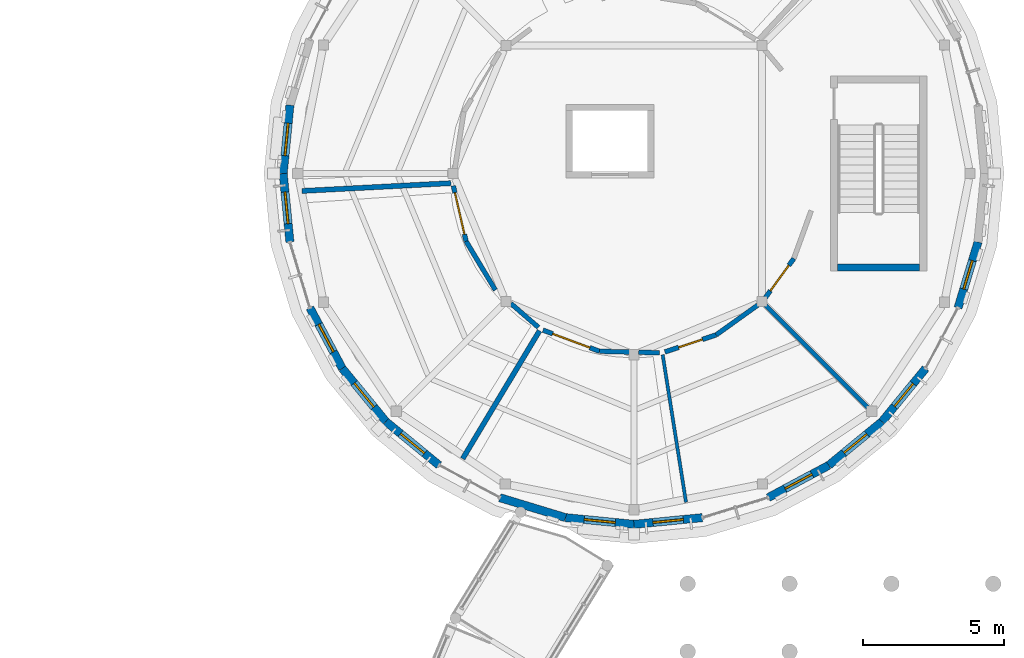
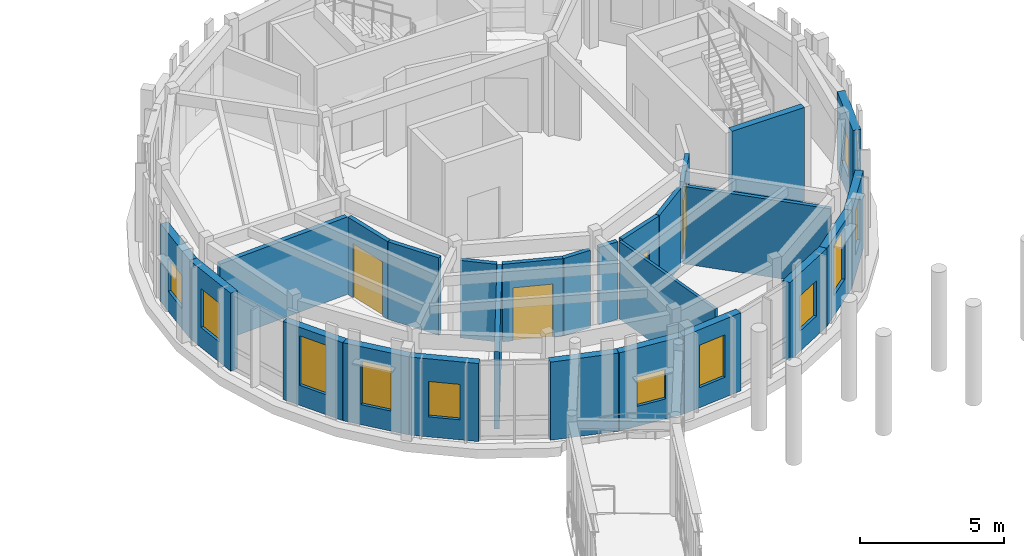
# One storey, part 55 of 80: 26 walls, 11 windows, 4 doors, 15 openings.
"""IFC4 building model written with IfcOpenShell, lengths in metres."""

from ifc_helpers import new_model, si_unit, direction, frame, frame_2d, origin, place, context, subcontext, project, spatial, rectangle, extrude, material, layer, layer_set, type_object, element, fill, save


model = new_model("IFC4")

# Units and contexts
model_context = context("Model", 3, precision=1e-05, world=origin(), true_north=direction((0.0, 1.0)))
body_context = subcontext(model_context, "Body", "Model", "MODEL_VIEW")
ifc_project = project(units=[si_unit("LENGTHUNIT", "METRE"), si_unit("AREAUNIT", "SQUARE_METRE"), si_unit("VOLUMEUNIT", "CUBIC_METRE"), si_unit("PLANEANGLEUNIT", "RADIAN"), si_unit("MASSUNIT", "GRAM", prefix="KILO")], contexts=[model_context])

# Site, building, storey
site_placement = place(None, origin())
site = spatial("IfcSite", under=ifc_project, at=site_placement, CompositionType="ELEMENT")
building_placement = place(site_placement, origin())
building = spatial("IfcBuilding", under=site, at=building_placement, Name="Aldenvaro Health Centre", CompositionType="ELEMENT")
storey_placement = place(building_placement, frame((0.0, 0.0, 4.550048828125)))
storey = spatial("IfcBuildingStorey", under=building, at=storey_placement, Name="L01", CompositionType="ELEMENT", Elevation=4.550048828125)

# Wall
ifc_material_1 = material(Name="Gypsum Stud Acoustic Assembly")
ifc_layer_1 = layer(ifc_material_1, 0.14501953125, Name="Gypsum Stud Acoustic Assembly")
ifc_layer_set_1 = layer_set([ifc_layer_1], Name="Gypsum Stud Acoustic Assembly")
wall_type_1 = type_object("IfcWallType", Name="WL-CLN-145", PredefinedType="PARTITIONING", material=ifc_layer_set_1)
wall_1_placement = place(storey_placement, frame((159.083984375, 94.916015625, 0.0), z_axis=(0.0, 0.0, 1.0), x_axis=(0.707106781187, -0.707106781187, 0.0)))
element("IfcWall", 1, at=wall_1_placement, inside=storey, type_object=wall_type_1, Name="D2 L01 clinical partition 6.1", PredefinedType="PARTITIONING", context=body_context, shape_type="SweptSolid", body=[
    extrude(rectangle(XDim=5.316162109375, YDim=0.14501953125, at=frame_2d((2.658203125, 0.0))), origin(), (0.0, 0.0, 1.0), 3.283935546875),
])

# Wall, opening, door
ifc_layer_2 = layer(ifc_material_1, 0.1650390625, Name="Gypsum Stud Acoustic Assembly")
ifc_layer_set_2 = layer_set([ifc_layer_2], Name="Gypsum Stud Acoustic Assembly")
wall_type_2 = type_object("IfcWallType", Name="WL-COR-165", PredefinedType="PARTITIONING", material=ifc_layer_set_2)
wall_2_placement = place(storey_placement, frame((148.114013671875, 99.070068359375, 0.0), z_axis=(0.0, 0.0, 1.0), x_axis=(0.223512984269, -0.974700952017, 0.0)))
wall_2 = element("IfcWall", 2, at=wall_2_placement, inside=storey, type_object=wall_type_2, Name="D2 L01 corridor wall 03.1", PredefinedType="PARTITIONING", context=body_context, shape_type="SweptSolid", body=[
    extrude(rectangle(XDim=2.01318359375, YDim=0.1650390625, at=frame_2d((1.006591796875, 0.0))), origin(), (0.0, 0.0, 1.0), 3.283935546875),
])
opening_1_placement = place(wall_2_placement, frame((0.257080078125, 0.0, 0.0)))
opening_1 = element("IfcOpeningElement", 3, at=opening_1_placement, cuts=wall_2, Name="Opening SD-01", PredefinedType="OPENING", context=body_context, shape_type="SweptSolid", body=[
    extrude(rectangle(XDim=1.5, YDim=2.300048828125, at=frame_2d((0.75, 1.14990234375))), frame((0.0, 0.092529296875, 0.0), z_axis=(0.0, -1.0, 0.0), x_axis=(1.0, 0.0, 0.0)), (0.0, 0.0, 1.0), 0.18505859375),
])
ifc_material_2 = material(Name="Hygienic Hermetic Theatre Door")
door_type_1 = type_object("IfcDoorType", Name="DR-SRG-150", OperationType="NOTDEFINED", PredefinedType="DOOR", material=ifc_material_2)
door_1_placement = place(opening_1_placement, origin())
door_1 = element("IfcDoor", 4, at=door_1_placement, inside=storey, type_object=door_type_1, Name="Endoscopy Procedure Room Door", OperationType="SINGLE_SWING_LEFT", OverallHeight=2.300048828125, OverallWidth=1.5, PredefinedType="DOOR", context=body_context, shape_type="SweptSolid", body=[
    extrude(rectangle(XDim=1.5, YDim=2.300048828125, at=frame_2d((0.75, 1.14990234375))), frame((0.0, 0.02490234375, 0.0), z_axis=(0.0, -1.0, 0.0), x_axis=(1.0, 0.0, 0.0)), (0.0, 0.0, 1.0), 0.050048828125),
])
fill(opening_1, door_1)

# Walls
wall_3_placement = place(storey_placement, frame((148.56396484375, 97.10791015625, 0.0), z_axis=(0.0, 0.0, 1.0), x_axis=(0.515084069478, -0.857139662698, 0.0)))
element("IfcWall", 5, at=wall_3_placement, inside=storey, type_object=wall_type_2, Name="D2 L01 corridor wall 03.2", PredefinedType="PARTITIONING", context=body_context, shape_type="SweptSolid", body=[
    extrude(rectangle(XDim=2.013427734375, YDim=0.1650390625, at=frame_2d((1.0068359375, 0.0))), origin(), (0.0, 0.0, 1.0), 3.283935546875),
])
wall_4_placement = place(storey_placement, frame((150.14892578125, 94.906982421875, 0.0), z_axis=(0.0, 0.0, 1.0), x_axis=(0.756157862191, -0.654389247655, 0.0)))
element("IfcWall", 6, at=wall_4_placement, inside=storey, type_object=wall_type_2, Name="D2 L01 corridor wall 03.3", PredefinedType="PARTITIONING", context=body_context, shape_type="SweptSolid", body=[
    extrude(rectangle(XDim=1.288330078125, YDim=0.1650390625, at=frame_2d((0.64404296875, 0.0))), origin(), (0.0, 0.0, 1.0), 3.283935546875),
])

# Wall, opening, door
wall_5_placement = place(storey_placement, frame((151.285888671875, 93.966064453125, 0.0), z_axis=(0.0, 0.0, 1.0), x_axis=(0.93623488757, -0.35137477897, 0.0)))
wall_5 = element("IfcWall", 7, at=wall_5_placement, inside=storey, type_object=wall_type_2, Name="D2 L01 corridor wall 04.1", PredefinedType="PARTITIONING", context=body_context, shape_type="SweptSolid", body=[
    extrude(rectangle(XDim=2.12890625, YDim=0.1650390625, at=frame_2d((1.064453125, 0.0))), origin(), (0.0, 0.0, 1.0), 3.283935546875),
])
opening_2_placement = place(wall_5_placement, frame((0.364990234375, 0.0, 0.0)))
opening_2 = element("IfcOpeningElement", 8, at=opening_2_placement, cuts=wall_5, Name="Opening SD-02", PredefinedType="OPENING", context=body_context, shape_type="SweptSolid", body=[
    extrude(rectangle(XDim=1.39990234375, YDim=2.25, at=frame_2d((0.699951171875, 1.125))), frame((0.0, 0.092529296875, 0.0), z_axis=(0.0, -1.0, 0.0), x_axis=(1.0, 0.0, 0.0)), (0.0, 0.0, 1.0), 0.18505859375),
])
ifc_material_3 = material(Name="Hygienic Scrub Suite Door")
door_type_2 = type_object("IfcDoorType", Name="DR-SRG-140", OperationType="NOTDEFINED", PredefinedType="DOOR", material=ifc_material_3)
door_2_placement = place(opening_2_placement, origin())
door_2 = element("IfcDoor", 9, at=door_2_placement, inside=storey, type_object=door_type_2, Name="Surgical Scrub and Sub-Sterile Room Door", OperationType="SINGLE_SWING_RIGHT", OverallHeight=2.25, OverallWidth=1.39990234375, PredefinedType="DOOR", context=body_context, shape_type="SweptSolid", body=[
    extrude(rectangle(XDim=1.39990234375, YDim=2.25, at=frame_2d((0.699951171875, 1.125))), frame((0.0, 0.02490234375, 0.0), z_axis=(0.0, -1.0, 0.0), x_axis=(1.0, 0.0, 0.0)), (0.0, 0.0, 1.0), 0.050048828125),
])
fill(opening_2, door_2)

# Walls
wall_6_placement = place(storey_placement, frame((153.279052734375, 93.218017578125, 0.0), z_axis=(0.0, 0.0, 1.0), x_axis=(0.999671430909, -0.025632600793, 0.0)))
element("IfcWall", 10, at=wall_6_placement, inside=storey, type_object=wall_type_2, Name="D2 L01 corridor wall 04.2", PredefinedType="PARTITIONING", context=body_context, shape_type="SweptSolid", body=[
    extrude(rectangle(XDim=1.05712890625, YDim=0.1650390625, at=frame_2d((0.528564453125, 0.0))), origin(), (0.0, 0.0, 1.0), 3.283935546875),
])
wall_7_placement = place(storey_placement, frame((154.66796875, 93.18310546875, 0.0), z_axis=(0.0, 0.0, 1.0), x_axis=(0.999701314602, -0.024439344989, 0.0)))
element("IfcWall", 11, at=wall_7_placement, inside=storey, type_object=wall_type_2, Name="D2 L01 corridor wall 04.3", PredefinedType="PARTITIONING", context=body_context, shape_type="SweptSolid", body=[
    extrude(rectangle(XDim=0.7392578125, YDim=0.1650390625, at=frame_2d((0.36962890625, 0.0))), origin(), (0.0, 0.0, 1.0), 3.283935546875),
])

# Wall, opening, door
wall_8_placement = place(storey_placement, frame((155.594970703125, 93.194091796875, 0.0), z_axis=(0.0, 0.0, 1.0), x_axis=(0.948632132652, 0.316381220839, 0.0)))
wall_8 = element("IfcWall", 12, at=wall_8_placement, inside=storey, type_object=wall_type_2, Name="D2 L01 corridor wall 05.1", PredefinedType="PARTITIONING", context=body_context, shape_type="SweptSolid", body=[
    extrude(rectangle(XDim=1.9091796875, YDim=0.1650390625, at=frame_2d((0.95458984375, 0.0))), origin(), (0.0, 0.0, 1.0), 3.283935546875),
])
opening_3_placement = place(wall_8_placement, frame((0.513916015625, 0.0, 0.0)))
opening_3 = element("IfcOpeningElement", 13, at=opening_3_placement, cuts=wall_8, Name="Opening UD-01", PredefinedType="OPENING", context=body_context, shape_type="SweptSolid", body=[
    extrude(rectangle(XDim=0.8798828125, YDim=2.10009765625, at=frame_2d((0.43994140625, 1.050048828125))), frame((0.0, 0.092529296875, 0.0), z_axis=(0.0, -1.0, 0.0), x_axis=(1.0, 0.0, 0.0)), (0.0, 0.0, 1.0), 0.18505859375),
])
ifc_material_4 = material(Name="Clean Supply Store Door")
door_type_3 = type_object("IfcDoorType", Name="DR-STR-01", OperationType="NOTDEFINED", PredefinedType="DOOR", material=ifc_material_4)
door_3_placement = place(opening_3_placement, origin())
door_3 = element("IfcDoor", 14, at=door_3_placement, inside=storey, type_object=door_type_3, Name="Clean Instrument Supply Room Door", OperationType="SINGLE_SWING_LEFT", OverallHeight=2.10009765625, OverallWidth=0.8798828125, PredefinedType="DOOR", context=body_context, shape_type="SweptSolid", body=[
    extrude(rectangle(XDim=0.8798828125, YDim=2.10009765625, at=frame_2d((0.43994140625, 1.050048828125))), frame((0.0, 0.02490234375, 0.0), z_axis=(0.0, -1.0, 0.0), x_axis=(1.0, 0.0, 0.0)), (0.0, 0.0, 1.0), 0.050048828125),
])
fill(opening_3, door_3)

# Wall
wall_9_placement = place(storey_placement, frame((157.406005859375, 93.798095703125, 0.0), z_axis=(0.0, 0.0, 1.0), x_axis=(0.813324248, 0.581810680218, 0.0)))
element("IfcWall", 15, at=wall_9_placement, inside=storey, type_object=wall_type_2, Name="D2 L01 corridor wall 05.2", PredefinedType="PARTITIONING", context=body_context, shape_type="SweptSolid", body=[
    extrude(rectangle(XDim=1.81494140625, YDim=0.1650390625, at=frame_2d((0.907470703125, 0.0))), origin(), (0.0, 0.0, 1.0), 3.283935546875),
])

# Wall, opening, door
wall_10_placement = place(storey_placement, frame((159.14697265625, 95.116943359375, 0.0), z_axis=(0.0, 0.0, 1.0), x_axis=(0.588784523438, 0.808290037647, 0.0)))
wall_10 = element("IfcWall", 16, at=wall_10_placement, inside=storey, type_object=wall_type_2, Name="D2 L01 corridor wall 06.1", PredefinedType="PARTITIONING", context=body_context, shape_type="SweptSolid", body=[
    extrude(rectangle(XDim=1.705078125, YDim=0.1650390625, at=frame_2d((0.8525390625, 0.0))), origin(), (0.0, 0.0, 1.0), 3.283935546875),
])
opening_4_placement = place(wall_10_placement, frame((0.298095703125, 0.0, 0.0)))
opening_4 = element("IfcOpeningElement", 17, at=opening_4_placement, cuts=wall_10, Name="Opening D-23", PredefinedType="OPENING", context=body_context, shape_type="SweptSolid", body=[
    extrude(rectangle(XDim=1.110107421875, YDim=2.25, at=frame_2d((0.55517578125, 1.125))), frame((0.0, 0.092529296875, 0.0), z_axis=(0.0, -1.0, 0.0), x_axis=(1.0, 0.0, 0.0)), (0.0, 0.0, 1.0), 0.18505859375),
])
ifc_material_5 = material(Name="Exam Suite Timber Door", Category="wood")
door_type_4 = type_object("IfcDoorType", Name="DR-CLN-23", OperationType="NOTDEFINED", PredefinedType="DOOR", material=ifc_material_5)
door_4_placement = place(opening_4_placement, origin())
door_4 = element("IfcDoor", 18, at=door_4_placement, inside=storey, type_object=door_type_4, Name="Anesthesia Workroom Door", OperationType="SINGLE_SWING_RIGHT", OverallHeight=2.25, OverallWidth=1.110107421875, PredefinedType="DOOR", context=body_context, shape_type="SweptSolid", body=[
    extrude(rectangle(XDim=1.110107421875, YDim=2.25, at=frame_2d((0.55517578125, 1.125))), frame((0.0, 0.02490234375, 0.0), z_axis=(0.0, -1.0, 0.0), x_axis=(1.0, 0.0, 0.0)), (0.0, 0.0, 1.0), 0.050048828125),
])
fill(opening_4, door_4)

# Wall, opening, window
ifc_material_6 = material(Name="Cross-laminated timber CLT E1", Category="wood")
ifc_layer_3 = layer(ifc_material_6, 0.2900390625, Name="Cross-laminated timber CLT E1", Category="wood")
ifc_layer_set_3 = layer_set([ifc_layer_3], Name="Cross-laminated timber CLT E1")
wall_type_3 = type_object("IfcWallType", Name="WL-EXT-290", PredefinedType="ELEMENTEDWALL", material=ifc_layer_set_3)
wall_11_placement = place(storey_placement, frame((166.662109375, 97.0810546875, 0.0), z_axis=(0.0, 0.0, 1.0), x_axis=(-0.290442193951, -0.956892539407, 0.0)))
wall_11 = element("IfcWall", 19, at=wall_11_placement, inside=storey, type_object=wall_type_3, Name="D2 L01 exterior wall 02", PredefinedType="ELEMENTEDWALL", context=body_context, shape_type="SweptSolid", body=[
    extrude(rectangle(XDim=2.430908203125, YDim=0.2900390625, at=frame_2d((1.21533203125, 0.0))), origin(), (0.0, 0.0, 1.0), 3.308837890625),
])
opening_5_placement = place(wall_11_placement, frame((0.68994140625, 0.0, 0.85009765625)))
opening_5 = element("IfcOpeningElement", 20, at=opening_5_placement, cuts=wall_11, Name="Opening W-20", PredefinedType="OPENING", context=body_context, shape_type="SweptSolid", body=[
    extrude(rectangle(XDim=1.050048828125, YDim=1.60009765625, at=frame_2d((0.52490234375, 0.800048828125))), frame((0.0, 0.155029296875, 0.0), z_axis=(0.0, -1.0, 0.0), x_axis=(1.0, 0.0, 0.0)), (0.0, 0.0, 1.0), 0.31005859375),
])
ifc_material_7 = material(Name="Thermally Broken Aluminium Low-E Glass", Category="aluminium")
window_type_1 = type_object("IfcWindowType", Name="WN-EXT-20", PartitioningType="SINGLE_PANEL", PredefinedType="WINDOW", material=ifc_material_7)
window_1_placement = place(opening_5_placement, origin())
window_1 = element("IfcWindow", 21, at=window_1_placement, inside=storey, type_object=window_type_1, Name="D2 L01 clinical window 02", OverallHeight=1.60009765625, OverallWidth=1.050048828125, PartitioningType="SINGLE_PANEL", PredefinedType="WINDOW", context=body_context, shape_type="SweptSolid", body=[
    extrude(rectangle(XDim=1.050048828125, YDim=1.60009765625, at=frame_2d((0.52490234375, 0.800048828125))), frame((0.0, 0.030029296875, 0.0), z_axis=(0.0, -1.0, 0.0), x_axis=(1.0, 0.0, 0.0)), (0.0, 0.0, 1.0), 0.06005859375),
])
fill(opening_5, window_1)

wall_12_placement = place(storey_placement, frame((164.81005859375, 92.611083984375, 0.0), z_axis=(0.0, 0.0, 1.0), x_axis=(-0.634347392822, -0.773048113134, 0.0)))
wall_12 = element("IfcWall", 22, at=wall_12_placement, inside=storey, type_object=wall_type_3, Name="D2 L01 exterior wall 04", PredefinedType="ELEMENTEDWALL", context=body_context, shape_type="SweptSolid", body=[
    extrude(rectangle(XDim=2.430908203125, YDim=0.2900390625, at=frame_2d((1.21533203125, 0.0))), origin(), (0.0, 0.0, 1.0), 3.308837890625),
])
opening_6_placement = place(wall_12_placement, frame((0.68994140625, 0.0, 0.85009765625)))
opening_6 = element("IfcOpeningElement", 23, at=opening_6_placement, cuts=wall_12, Name="Opening W-21", PredefinedType="OPENING", context=body_context, shape_type="SweptSolid", body=[
    extrude(rectangle(XDim=1.050048828125, YDim=1.89990234375, at=frame_2d((0.52490234375, 0.949951171875))), frame((0.0, 0.155029296875, 0.0), z_axis=(0.0, -1.0, 0.0), x_axis=(1.0, 0.0, 0.0)), (0.0, 0.0, 1.0), 0.31005859375),
])
window_type_2 = type_object("IfcWindowType", Name="WN-EXT-21", PartitioningType="SINGLE_PANEL", PredefinedType="WINDOW", material=ifc_material_7)
window_2_placement = place(opening_6_placement, origin())
window_2 = element("IfcWindow", 24, at=window_2_placement, inside=storey, type_object=window_type_2, Name="D2 L01 clinical window 04", OverallHeight=1.89990234375, OverallWidth=1.050048828125, PartitioningType="SINGLE_PANEL", PredefinedType="WINDOW", context=body_context, shape_type="SweptSolid", body=[
    extrude(rectangle(XDim=1.050048828125, YDim=1.89990234375, at=frame_2d((0.52490234375, 0.949951171875))), frame((0.0, 0.030029296875, 0.0), z_axis=(0.0, -1.0, 0.0), x_axis=(1.0, 0.0, 0.0)), (0.0, 0.0, 1.0), 0.06005859375),
])
fill(opening_6, window_2)

wall_13_placement = place(storey_placement, frame((163.26806640625, 90.73193359375, 0.0), z_axis=(0.0, 0.0, 1.0), x_axis=(-0.773048113134, -0.634347392822, 0.0)))
wall_13 = element("IfcWall", 25, at=wall_13_placement, inside=storey, type_object=wall_type_3, Name="D2 L01 exterior wall 05", PredefinedType="ELEMENTEDWALL", context=body_context, shape_type="SweptSolid", body=[
    extrude(rectangle(XDim=2.430908203125, YDim=0.2900390625, at=frame_2d((1.21533203125, 0.0))), origin(), (0.0, 0.0, 1.0), 3.308837890625),
])
opening_7_placement = place(wall_13_placement, frame((0.68994140625, 0.0, 0.85009765625)))
opening_7 = element("IfcOpeningElement", 26, at=opening_7_placement, cuts=wall_13, Name="Opening W-22", PredefinedType="OPENING", context=body_context, shape_type="SweptSolid", body=[
    extrude(rectangle(XDim=1.050048828125, YDim=2.14990234375, at=frame_2d((0.52490234375, 1.074951171875))), frame((0.0, 0.155029296875, 0.0), z_axis=(0.0, -1.0, 0.0), x_axis=(1.0, 0.0, 0.0)), (0.0, 0.0, 1.0), 0.31005859375),
])
window_type_3 = type_object("IfcWindowType", Name="WN-EXT-22", PartitioningType="SINGLE_PANEL", PredefinedType="WINDOW", material=ifc_material_7)
window_3_placement = place(opening_7_placement, origin())
window_3 = element("IfcWindow", 27, at=window_3_placement, inside=storey, type_object=window_type_3, Name="D2 L01 clinical window 05", OverallHeight=2.14990234375, OverallWidth=1.050048828125, PartitioningType="SINGLE_PANEL", PredefinedType="WINDOW", context=body_context, shape_type="SweptSolid", body=[
    extrude(rectangle(XDim=1.050048828125, YDim=2.14990234375, at=frame_2d((0.52490234375, 1.074951171875))), frame((0.0, 0.030029296875, 0.0), z_axis=(0.0, -1.0, 0.0), x_axis=(1.0, 0.0, 0.0)), (0.0, 0.0, 1.0), 0.06005859375),
])
fill(opening_7, window_3)

wall_14_placement = place(storey_placement, frame((161.388916015625, 89.18994140625, 0.0), z_axis=(0.0, 0.0, 1.0), x_axis=(-0.881902152415, -0.471432490996, 0.0)))
wall_14 = element("IfcWall", 28, at=wall_14_placement, inside=storey, type_object=wall_type_3, Name="D2 L01 exterior wall 06", PredefinedType="ELEMENTEDWALL", context=body_context, shape_type="SweptSolid", body=[
    extrude(rectangle(XDim=2.430908203125, YDim=0.2900390625, at=frame_2d((1.21533203125, 0.0))), origin(), (0.0, 0.0, 1.0), 3.308837890625),
])
opening_8_placement = place(wall_14_placement, frame((0.676025390625, 0.0, 0.85009765625)))
opening_8 = element("IfcOpeningElement", 29, at=opening_8_placement, cuts=wall_14, Name="Opening W-23", PredefinedType="OPENING", context=body_context, shape_type="SweptSolid", body=[
    extrude(rectangle(XDim=1.080078125, YDim=1.5, at=frame_2d((0.5400390625, 0.75))), frame((0.0, 0.155029296875, 0.0), z_axis=(0.0, -1.0, 0.0), x_axis=(1.0, 0.0, 0.0)), (0.0, 0.0, 1.0), 0.31005859375),
])
window_type_4 = type_object("IfcWindowType", Name="WN-EXT-23", PartitioningType="SINGLE_PANEL", PredefinedType="WINDOW", material=ifc_material_7)
window_4_placement = place(opening_8_placement, origin())
window_4 = element("IfcWindow", 30, at=window_4_placement, inside=storey, type_object=window_type_4, Name="D2 L01 clinical window 06", OverallHeight=1.5, OverallWidth=1.080078125, PartitioningType="SINGLE_PANEL", PredefinedType="WINDOW", context=body_context, shape_type="SweptSolid", body=[
    extrude(rectangle(XDim=1.080078125, YDim=1.5, at=frame_2d((0.5400390625, 0.75))), frame((0.0, 0.030029296875, 0.0), z_axis=(0.0, -1.0, 0.0), x_axis=(1.0, 0.0, 0.0)), (0.0, 0.0, 1.0), 0.06005859375),
])
fill(opening_8, window_4)

wall_15_placement = place(storey_placement, frame((156.9189453125, 87.337890625, 0.0), z_axis=(0.0, 0.0, 1.0), x_axis=(-0.995202863323, -0.097832820839, 0.0)))
wall_15 = element("IfcWall", 31, at=wall_15_placement, inside=storey, type_object=wall_type_3, Name="D2 L01 exterior wall 08", PredefinedType="ELEMENTEDWALL", context=body_context, shape_type="SweptSolid", body=[
    extrude(rectangle(XDim=2.4306640625, YDim=0.2900390625, at=frame_2d((1.21533203125, 0.0))), origin(), (0.0, 0.0, 1.0), 3.308837890625),
])
opening_9_placement = place(wall_15_placement, frame((0.675048828125, 0.0, 0.85009765625)))
opening_9 = element("IfcOpeningElement", 32, at=opening_9_placement, cuts=wall_15, Name="Opening W-24", PredefinedType="OPENING", context=body_context, shape_type="SweptSolid", body=[
    extrude(rectangle(XDim=1.080078125, YDim=1.800048828125, at=frame_2d((0.5400390625, 0.89990234375))), frame((0.0, 0.155029296875, 0.0), z_axis=(0.0, -1.0, 0.0), x_axis=(1.0, 0.0, 0.0)), (0.0, 0.0, 1.0), 0.31005859375),
])
window_type_5 = type_object("IfcWindowType", Name="WN-EXT-24", PartitioningType="SINGLE_PANEL", PredefinedType="WINDOW", material=ifc_material_7)
window_5_placement = place(opening_9_placement, origin())
window_5 = element("IfcWindow", 33, at=window_5_placement, inside=storey, type_object=window_type_5, Name="D2 L01 clinical window 08", OverallHeight=1.800048828125, OverallWidth=1.080078125, PartitioningType="SINGLE_PANEL", PredefinedType="WINDOW", context=body_context, shape_type="SweptSolid", body=[
    extrude(rectangle(XDim=1.080078125, YDim=1.800048828125, at=frame_2d((0.5400390625, 0.89990234375))), frame((0.0, 0.030029296875, 0.0), z_axis=(0.0, -1.0, 0.0), x_axis=(1.0, 0.0, 0.0)), (0.0, 0.0, 1.0), 0.06005859375),
])
fill(opening_9, window_5)

wall_16_placement = place(storey_placement, frame((154.5, 87.10009765625, 0.0), z_axis=(0.0, 0.0, 1.0), x_axis=(-0.995202863323, 0.097832820839, 0.0)))
wall_16 = element("IfcWall", 34, at=wall_16_placement, inside=storey, type_object=wall_type_3, Name="D2 L01 exterior wall 09", PredefinedType="ELEMENTEDWALL", context=body_context, shape_type="SweptSolid", body=[
    extrude(rectangle(XDim=2.4306640625, YDim=0.2900390625, at=frame_2d((1.21533203125, 0.0))), origin(), (0.0, 0.0, 1.0), 3.308837890625),
])
opening_10_placement = place(wall_16_placement, frame((0.6650390625, 0.0, 0.85009765625)))
opening_10 = element("IfcOpeningElement", 35, at=opening_10_placement, cuts=wall_16, Name="Opening W-25", PredefinedType="OPENING", context=body_context, shape_type="SweptSolid", body=[
    extrude(rectangle(XDim=1.10009765625, YDim=1.25, at=frame_2d((0.550048828125, 0.625))), frame((0.0, 0.155029296875, 0.0), z_axis=(0.0, -1.0, 0.0), x_axis=(1.0, 0.0, 0.0)), (0.0, 0.0, 1.0), 0.31005859375),
])
window_type_6 = type_object("IfcWindowType", Name="WN-EXT-25", PartitioningType="SINGLE_PANEL", PredefinedType="WINDOW", material=ifc_material_7)
window_6_placement = place(opening_10_placement, origin())
window_6 = element("IfcWindow", 36, at=window_6_placement, inside=storey, type_object=window_type_6, Name="D2 L01 clinical window 09", OverallHeight=1.25, OverallWidth=1.10009765625, PartitioningType="SINGLE_PANEL", PredefinedType="WINDOW", context=body_context, shape_type="SweptSolid", body=[
    extrude(rectangle(XDim=1.10009765625, YDim=1.25, at=frame_2d((0.550048828125, 0.625))), frame((0.0, 0.030029296875, 0.0), z_axis=(0.0, -1.0, 0.0), x_axis=(1.0, 0.0, 0.0)), (0.0, 0.0, 1.0), 0.06005859375),
])
fill(opening_10, window_6)

# Wall
wall_17_placement = place(storey_placement, frame((152.0810546875, 87.337890625, 0.0), z_axis=(0.0, 0.0, 1.0), x_axis=(-0.956892539407, 0.290442193951, 0.0)))
element("IfcWall", 37, at=wall_17_placement, inside=storey, type_object=wall_type_3, Name="D2 L01 exterior wall 10", PredefinedType="ELEMENTEDWALL", context=body_context, shape_type="SweptSolid", body=[
    extrude(rectangle(XDim=2.430908203125, YDim=0.2900390625, at=frame_2d((1.21533203125, 0.0))), origin(), (0.0, 0.0, 1.0), 3.308837890625),
])

# Wall, opening, window
wall_18_placement = place(storey_placement, frame((147.611083984375, 89.18994140625, 0.0), z_axis=(0.0, 0.0, 1.0), x_axis=(-0.773048113134, 0.634347392822, 0.0)))
wall_18 = element("IfcWall", 38, at=wall_18_placement, inside=storey, type_object=wall_type_3, Name="D2 L01 exterior wall 12", PredefinedType="ELEMENTEDWALL", context=body_context, shape_type="SweptSolid", body=[
    extrude(rectangle(XDim=2.430908203125, YDim=0.2900390625, at=frame_2d((1.21533203125, 0.0))), origin(), (0.0, 0.0, 1.0), 3.308837890625),
])
opening_11_placement = place(wall_18_placement, frame((0.6650390625, 0.0, 0.85009765625)))
opening_11 = element("IfcOpeningElement", 39, at=opening_11_placement, cuts=wall_18, Name="Opening W-26", PredefinedType="OPENING", context=body_context, shape_type="SweptSolid", body=[
    extrude(rectangle(XDim=1.10009765625, YDim=1.5, at=frame_2d((0.550048828125, 0.75))), frame((0.0, 0.155029296875, 0.0), z_axis=(0.0, -1.0, 0.0), x_axis=(1.0, 0.0, 0.0)), (0.0, 0.0, 1.0), 0.31005859375),
])
window_type_7 = type_object("IfcWindowType", Name="WN-EXT-26", PartitioningType="SINGLE_PANEL", PredefinedType="WINDOW", material=ifc_material_7)
window_7_placement = place(opening_11_placement, origin())
window_7 = element("IfcWindow", 40, at=window_7_placement, inside=storey, type_object=window_type_7, Name="D2 L01 clinical window 12", OverallHeight=1.5, OverallWidth=1.10009765625, PartitioningType="SINGLE_PANEL", PredefinedType="WINDOW", context=body_context, shape_type="SweptSolid", body=[
    extrude(rectangle(XDim=1.10009765625, YDim=1.5, at=frame_2d((0.550048828125, 0.75))), frame((0.0, 0.030029296875, 0.0), z_axis=(0.0, -1.0, 0.0), x_axis=(1.0, 0.0, 0.0)), (0.0, 0.0, 1.0), 0.06005859375),
])
fill(opening_11, window_7)

wall_19_placement = place(storey_placement, frame((145.73193359375, 90.73193359375, 0.0), z_axis=(0.0, 0.0, 1.0), x_axis=(-0.634347392822, 0.773048113134, 0.0)))
wall_19 = element("IfcWall", 41, at=wall_19_placement, inside=storey, type_object=wall_type_3, Name="D2 L01 exterior wall 13", PredefinedType="ELEMENTEDWALL", context=body_context, shape_type="SweptSolid", body=[
    extrude(rectangle(XDim=2.430908203125, YDim=0.2900390625, at=frame_2d((1.21533203125, 0.0))), origin(), (0.0, 0.0, 1.0), 3.308837890625),
])
opening_12_placement = place(wall_19_placement, frame((0.6650390625, 0.0, 0.85009765625)))
opening_12 = element("IfcOpeningElement", 42, at=opening_12_placement, cuts=wall_19, Name="Opening W-27", PredefinedType="OPENING", context=body_context, shape_type="SweptSolid", body=[
    extrude(rectangle(XDim=1.10009765625, YDim=1.85009765625, at=frame_2d((0.550048828125, 0.925048828125))), frame((0.0, 0.155029296875, 0.0), z_axis=(0.0, -1.0, 0.0), x_axis=(1.0, 0.0, 0.0)), (0.0, 0.0, 1.0), 0.31005859375),
])
window_type_8 = type_object("IfcWindowType", Name="WN-EXT-27", PartitioningType="SINGLE_PANEL", PredefinedType="WINDOW", material=ifc_material_7)
window_8_placement = place(opening_12_placement, origin())
window_8 = element("IfcWindow", 43, at=window_8_placement, inside=storey, type_object=window_type_8, Name="D2 L01 clinical window 13", OverallHeight=1.85009765625, OverallWidth=1.10009765625, PartitioningType="SINGLE_PANEL", PredefinedType="WINDOW", context=body_context, shape_type="SweptSolid", body=[
    extrude(rectangle(XDim=1.10009765625, YDim=1.85009765625, at=frame_2d((0.550048828125, 0.925048828125))), frame((0.0, 0.030029296875, 0.0), z_axis=(0.0, -1.0, 0.0), x_axis=(1.0, 0.0, 0.0)), (0.0, 0.0, 1.0), 0.06005859375),
])
fill(opening_12, window_8)

wall_20_placement = place(storey_placement, frame((144.18994140625, 92.611083984375, 0.0), z_axis=(0.0, 0.0, 1.0), x_axis=(-0.471432490996, 0.881902152415, 0.0)))
wall_20 = element("IfcWall", 44, at=wall_20_placement, inside=storey, type_object=wall_type_3, Name="D2 L01 exterior wall 14", PredefinedType="ELEMENTEDWALL", context=body_context, shape_type="SweptSolid", body=[
    extrude(rectangle(XDim=2.430908203125, YDim=0.2900390625, at=frame_2d((1.21533203125, 0.0))), origin(), (0.0, 0.0, 1.0), 3.308837890625),
])
opening_13_placement = place(wall_20_placement, frame((0.666015625, 0.0, 0.85009765625)))
opening_13 = element("IfcOpeningElement", 45, at=opening_13_placement, cuts=wall_20, Name="Opening W-28", PredefinedType="OPENING", context=body_context, shape_type="SweptSolid", body=[
    extrude(rectangle(XDim=1.10009765625, YDim=2.10009765625, at=frame_2d((0.550048828125, 1.050048828125))), frame((0.0, 0.155029296875, 0.0), z_axis=(0.0, -1.0, 0.0), x_axis=(1.0, 0.0, 0.0)), (0.0, 0.0, 1.0), 0.31005859375),
])
window_type_9 = type_object("IfcWindowType", Name="WN-EXT-28", PartitioningType="SINGLE_PANEL", PredefinedType="WINDOW", material=ifc_material_7)
window_9_placement = place(opening_13_placement, origin())
window_9 = element("IfcWindow", 46, at=window_9_placement, inside=storey, type_object=window_type_9, Name="D2 L01 clinical window 14", OverallHeight=2.10009765625, OverallWidth=1.10009765625, PartitioningType="SINGLE_PANEL", PredefinedType="WINDOW", context=body_context, shape_type="SweptSolid", body=[
    extrude(rectangle(XDim=1.10009765625, YDim=2.10009765625, at=frame_2d((0.550048828125, 1.050048828125))), frame((0.0, 0.030029296875, 0.0), z_axis=(0.0, -1.0, 0.0), x_axis=(1.0, 0.0, 0.0)), (0.0, 0.0, 1.0), 0.06005859375),
])
fill(opening_13, window_9)

wall_21_placement = place(storey_placement, frame((142.337890625, 97.0810546875, 0.0), z_axis=(0.0, 0.0, 1.0), x_axis=(-0.097832820839, 0.995202863323, 0.0)))
wall_21 = element("IfcWall", 47, at=wall_21_placement, inside=storey, type_object=wall_type_3, Name="D2 L01 exterior wall 16", PredefinedType="ELEMENTEDWALL", context=body_context, shape_type="SweptSolid", body=[
    extrude(rectangle(XDim=2.4306640625, YDim=0.2900390625, at=frame_2d((1.21533203125, 0.0))), origin(), (0.0, 0.0, 1.0), 3.308837890625),
])
opening_14_placement = place(wall_21_placement, frame((0.655029296875, 0.0, 0.85009765625)))
opening_14 = element("IfcOpeningElement", 48, at=opening_14_placement, cuts=wall_21, Name="Opening W-29", PredefinedType="OPENING", context=body_context, shape_type="SweptSolid", body=[
    extrude(rectangle(XDim=1.1201171875, YDim=1.64990234375, at=frame_2d((0.56005859375, 0.824951171875))), frame((0.0, 0.155029296875, 0.0), z_axis=(0.0, -1.0, 0.0), x_axis=(1.0, 0.0, 0.0)), (0.0, 0.0, 1.0), 0.31005859375),
])
window_type_10 = type_object("IfcWindowType", Name="WN-EXT-29", PartitioningType="SINGLE_PANEL", PredefinedType="WINDOW", material=ifc_material_7)
window_10_placement = place(opening_14_placement, origin())
window_10 = element("IfcWindow", 49, at=window_10_placement, inside=storey, type_object=window_type_10, Name="D2 L01 clinical window 16", OverallHeight=1.64990234375, OverallWidth=1.1201171875, PartitioningType="SINGLE_PANEL", PredefinedType="WINDOW", context=body_context, shape_type="SweptSolid", body=[
    extrude(rectangle(XDim=1.1201171875, YDim=1.64990234375, at=frame_2d((0.56005859375, 0.824951171875))), frame((0.0, 0.030029296875, 0.0), z_axis=(0.0, -1.0, 0.0), x_axis=(1.0, 0.0, 0.0)), (0.0, 0.0, 1.0), 0.06005859375),
])
fill(opening_14, window_10)

wall_22_placement = place(storey_placement, frame((142.10009765625, 99.5, 0.0), z_axis=(0.0, 0.0, 1.0), x_axis=(0.097832820839, 0.995202863323, 0.0)))
wall_22 = element("IfcWall", 50, at=wall_22_placement, inside=storey, type_object=wall_type_3, Name="D2 L01 exterior wall 17", PredefinedType="ELEMENTEDWALL", context=body_context, shape_type="SweptSolid", body=[
    extrude(rectangle(XDim=2.4306640625, YDim=0.2900390625, at=frame_2d((1.21533203125, 0.0))), origin(), (0.0, 0.0, 1.0), 3.308837890625),
])
opening_15_placement = place(wall_22_placement, frame((0.639892578125, 0.0, 0.85009765625)))
opening_15 = element("IfcOpeningElement", 51, at=opening_15_placement, cuts=wall_22, Name="Opening W-30", PredefinedType="OPENING", context=body_context, shape_type="SweptSolid", body=[
    extrude(rectangle(XDim=1.14990234375, YDim=1.39990234375, at=frame_2d((0.574951171875, 0.699951171875))), frame((0.0, 0.155029296875, 0.0), z_axis=(0.0, -1.0, 0.0), x_axis=(1.0, 0.0, 0.0)), (0.0, 0.0, 1.0), 0.31005859375),
])
window_type_11 = type_object("IfcWindowType", Name="WN-EXT-30", PartitioningType="SINGLE_PANEL", PredefinedType="WINDOW", material=ifc_material_7)
window_11_placement = place(opening_15_placement, origin())
window_11 = element("IfcWindow", 52, at=window_11_placement, inside=storey, type_object=window_type_11, Name="D2 L01 clinical window 17", OverallHeight=1.39990234375, OverallWidth=1.14990234375, PartitioningType="SINGLE_PANEL", PredefinedType="WINDOW", context=body_context, shape_type="SweptSolid", body=[
    extrude(rectangle(XDim=1.14990234375, YDim=1.39990234375, at=frame_2d((0.574951171875, 0.699951171875))), frame((0.0, 0.030029296875, 0.0), z_axis=(0.0, -1.0, 0.0), x_axis=(1.0, 0.0, 0.0)), (0.0, 0.0, 1.0), 0.06005859375),
])
fill(opening_15, window_11)

# Walls
ifc_material_8 = material(Name="Concrete f'c 40 MPa", Category="concrete")
ifc_layer_4 = layer(ifc_material_8, 0.25, Name="Concrete f'c 40 MPa", Category="concrete")
ifc_layer_set_4 = layer_set([ifc_layer_4], Name="Concrete f'c 40 MPa")
wall_type_4 = type_object("IfcWallType", Name="WL-SHAFT-250", PredefinedType="SHEAR", material=ifc_layer_set_4)
wall_23_placement = place(storey_placement, frame((161.699951171875, 96.175048828125, 0.0), z_axis=(0.0, 0.0, 1.0), x_axis=(1.0, 0.0, 0.0)))
element("IfcWall", 53, at=wall_23_placement, inside=storey, type_object=wall_type_4, Name="ST-03 L01 side core wall R", PredefinedType="SHEAR", context=body_context, shape_type="SweptSolid", body=[
    extrude(rectangle(XDim=2.900146484375, YDim=0.25, at=frame_2d((1.4501953125, 0.0))), origin(), (0.0, 0.0, 1.0), 3.954833984375),
])
ifc_material_9 = material(Name="Hygienic Clad Acoustic Partition")
ifc_layer_5 = layer(ifc_material_9, 0.179931640625, Name="Hygienic Clad Acoustic Partition")
ifc_layer_set_5 = layer_set([ifc_layer_5], Name="Hygienic Clad Acoustic Partition")
wall_type_5 = type_object("IfcWallType", Name="WL-SRG-180", PredefinedType="PARTITIONING", material=ifc_layer_set_5)
wall_24_placement = place(storey_placement, frame((148.02587890625, 99.160888671875, 0.0), z_axis=(0.0, 0.0, 1.0), x_axis=(-0.998629447921, -0.052337613105, 0.0)))
element("IfcWall", 54, at=wall_24_placement, inside=storey, type_object=wall_type_5, Name="D2 L01 clinical partition 3.1", PredefinedType="PARTITIONING", context=body_context, shape_type="SweptSolid", body=[
    extrude(rectangle(XDim=5.271240234375, YDim=0.179931640625, at=frame_2d((2.6357421875, 0.0))), origin(), (0.0, 0.0, 1.0), 3.283935546875),
])
wall_25_placement = place(storey_placement, frame((151.160888671875, 93.943115234375, 0.0), z_axis=(0.0, 0.0, 1.0), x_axis=(-0.515026730069, -0.857174117268, 0.0)))
element("IfcWall", 55, at=wall_25_placement, inside=storey, type_object=wall_type_5, Name="D2 L01 clinical partition 4.1", PredefinedType="PARTITIONING", context=body_context, shape_type="SweptSolid", body=[
    extrude(rectangle(XDim=5.273193359375, YDim=0.179931640625, at=frame_2d((2.63671875, 0.0))), origin(), (0.0, 0.0, 1.0), 3.283935546875),
])
ifc_material_10 = material(Name="Light Gauge Steel Stud Partition", Category="steel")
ifc_layer_6 = layer(ifc_material_10, 0.114990234375, Name="Light Gauge Steel Stud Partition", Category="steel")
ifc_layer_set_6 = layer_set([ifc_layer_6], Name="Light Gauge Steel Stud Partition")
wall_type_6 = type_object("IfcWallType", Name="WL-SUB-115", PredefinedType="PARTITIONING", material=ifc_layer_set_6)
wall_26_placement = place(storey_placement, frame((155.513916015625, 93.096923828125, 0.0), z_axis=(0.0, 0.0, 1.0), x_axis=(0.156475439167, -0.98768185006, 0.0)))
element("IfcWall", 56, at=wall_26_placement, inside=storey, type_object=wall_type_6, Name="D2 L01 clinical partition 5.1", PredefinedType="PARTITIONING", context=body_context, shape_type="SweptSolid", body=[
    extrude(rectangle(XDim=5.27978515625, YDim=0.114990234375, at=frame_2d((2.639892578125, 0.0))), origin(), (0.0, 0.0, 1.0), 3.283935546875),
])

save(model, "model.ifc")
